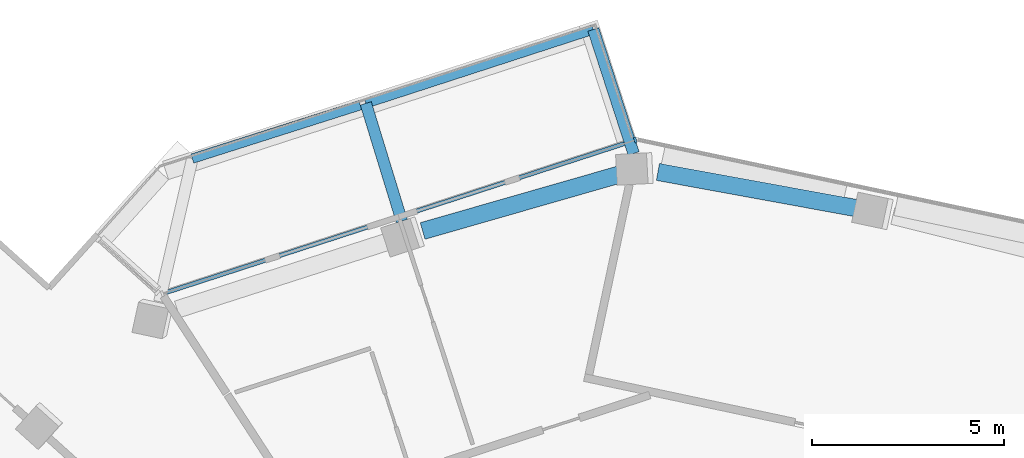
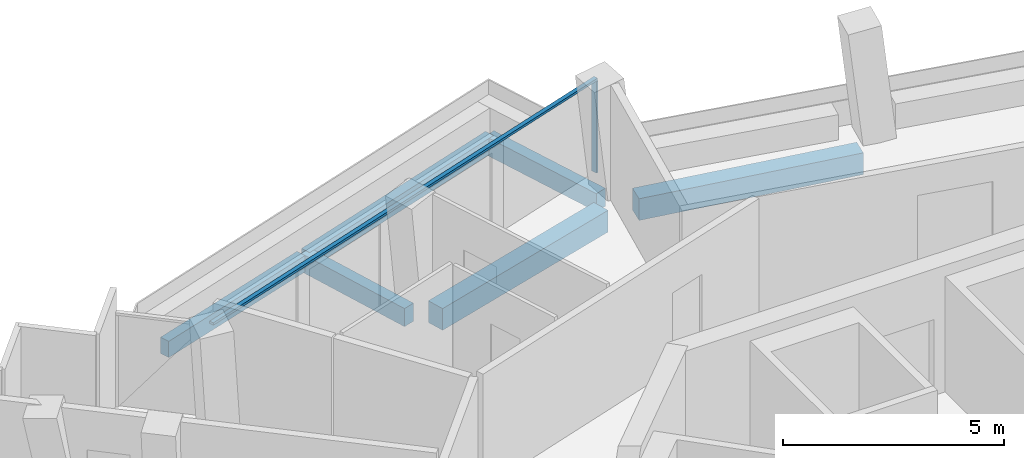
# One storey, part 7 of 22: 6 beams, 2 members, 1 element without a shape of its own.
"""IFC4 building model written with IfcOpenShell, lengths in metres."""

from ifc_helpers import new_model, si_unit, direction, frame, origin, origin_2d, place, context, subcontext, project, spatial, rectangle, extrude, material, layer, layer_set, material_profile, profile_set, type_object, element, aggregate, save


model = new_model("IFC4")

# Units and contexts
model_context = context("Model", 3, precision=1e-05, world=origin(), true_north=direction((0.0, 1.0)))
body_context = subcontext(model_context, "Body", "Model", "MODEL_VIEW")
ifc_project = project(units=[si_unit("LENGTHUNIT", "METRE"), si_unit("AREAUNIT", "SQUARE_METRE"), si_unit("VOLUMEUNIT", "CUBIC_METRE"), si_unit("PLANEANGLEUNIT", "RADIAN"), si_unit("MASSUNIT", "GRAM", prefix="KILO")], contexts=[model_context])

# Site, building, storey
site_placement = place(None, origin())
site = spatial("IfcSite", under=ifc_project, at=site_placement, CompositionType="ELEMENT")
building_placement = place(site_placement, origin())
building = spatial("IfcBuilding", under=site, at=building_placement, Name="Verdalira Terraces Hotel", CompositionType="ELEMENT")
storey_placement = place(building_placement, frame((0.0, 0.0, 230.5)))
storey = spatial("IfcBuildingStorey", under=building, at=storey_placement, Name="L56", CompositionType="ELEMENT", Elevation=230.5)

# Beams
ifc_material_1 = material(Name="Concrete C40", Category="concrete")
ifc_material_profile_1 = material_profile(ifc_material_1, rectangle(XDim=0.300049, YDim=0.5, at=origin_2d()), Name="RC 300X500")
ifc_profile_set_1 = profile_set([ifc_material_profile_1], Name="Concrete C40")
beam_type_1 = type_object("IfcBeamType", Name="Balcony cantilever beam RC 300X500 C40", PredefinedType="BEAM", material=ifc_profile_set_1)
beam_1_placement = place(storey_placement, frame((-1.363525, 24.649902, -0.560059), z_axis=(-0.309074685, 0.95103777, 0.0), x_axis=(-0.95103777, -0.309074685, 0.0)))
element("IfcBeam", 1, at=beam_1_placement, inside=storey, type_object=beam_type_1, Name="Balcony cantilever beam R41-1", PredefinedType="BEAM", context=body_context, shape_type="SweptSolid", body=[
    extrude(rectangle(XDim=0.300049, YDim=0.5, at=origin_2d()), origin(), (0.0, 0.0, 1.0), 3.393555),
])
beam_2_placement = place(storey_placement, frame((-7.394531, 22.893311, -0.560059), z_axis=(-0.293045871, 0.956098383, 0.0), x_axis=(-0.956098383, -0.293045871, 0.0)))
element("IfcBeam", 2, at=beam_2_placement, inside=storey, type_object=beam_type_1, Name="Balcony cantilever beam R41-2", PredefinedType="BEAM", context=body_context, shape_type="SweptSolid", body=[
    extrude(rectangle(XDim=0.300049, YDim=0.5, at=origin_2d()), origin(), (0.0, 0.0, 1.0), 3.200928),
])
ifc_material_2 = material(Name="Concrete C40", Category="concrete")
ifc_material_profile_2 = material_profile(ifc_material_2, rectangle(XDim=0.25, YDim=0.449951, at=origin_2d()), Name="RC 250X450")
ifc_profile_set_2 = profile_set([ifc_material_profile_2], Name="Concrete C40")
beam_type_2 = type_object("IfcBeamType", Name="Balcony edge beam RC 250X450 C40", PredefinedType="BEAM", material=ifc_profile_set_2)
beam_3_placement = place(storey_placement, frame((-2.412354, 27.877197, -0.534912), z_axis=(-0.951056259, -0.309017785, 0.0), x_axis=(0.309017785, -0.951056259, 0.0)))
element("IfcBeam", 3, at=beam_3_placement, inside=storey, type_object=beam_type_2, Name="Balcony edge beam R41-1", PredefinedType="BEAM", context=body_context, shape_type="SweptSolid", body=[
    extrude(rectangle(XDim=0.25, YDim=0.449951, at=origin_2d()), origin(), (0.0, 0.0, 1.0), 6.224854),
])
beam_4_placement = place(storey_placement, frame((-8.475586, 25.908203, -0.534912), z_axis=(-0.952892212, -0.303309137, 0.0), x_axis=(0.303309137, -0.952892212, 0.0)))
element("IfcBeam", 4, at=beam_4_placement, inside=storey, type_object=beam_type_2, Name="Balcony edge beam R41-2", PredefinedType="BEAM", context=body_context, shape_type="SweptSolid", body=[
    extrude(rectangle(XDim=0.25, YDim=0.449951, at=origin_2d()), origin(), (0.0, 0.0, 1.0), 4.585693),
])

# Curtain wall, members
ifc_material_3 = material(Name="Clear glass", Category="glass")
ifc_layer = layer(ifc_material_3, 0.14990234375)
ifc_layer_set = layer_set([ifc_layer], Name="CW1 curtain wall")
curtain_wall_type = type_object("IfcCurtainWallType", Name="CW1 curtain wall", PredefinedType="NOTDEFINED", material=ifc_layer_set)
curtain_wall_placement = place(storey_placement, origin())
curtain_wall = element("IfcCurtainWall", 5, at=curtain_wall_placement, inside=storey, type_object=curtain_wall_type, Name="CW1 curtain wall L56 edge 41", PredefinedType="NOTDEFINED")
ifc_material_4 = material(Name="Terracotta frame", Category="masonry")
ifc_material_profile_3 = material_profile(ifc_material_4, rectangle(XDim=0.060059, YDim=0.149902, at=origin_2d()), Name="MU 60x150")
ifc_profile_set_3 = profile_set([ifc_material_profile_3], Name="Terracotta frame")
member_type_1 = type_object("IfcMemberType", Name="CW1 mullion 60x150", PredefinedType="MULLION", material=ifc_profile_set_3)
member_1_placement = place(storey_placement, frame((-1.319824, 24.999023, 0.0), z_axis=(0.0, 0.0, 1.0), x_axis=(-0.951056516, -0.309016994, 0.0)))
member_1 = element("IfcMember", 6, at=member_1_placement, type_object=member_type_1, Name="CW1 mullion", PredefinedType="MULLION", context=body_context, shape_type="SweptSolid", body=[
    extrude(rectangle(XDim=0.060059, YDim=0.149902, at=origin_2d()), origin(), (0.0, 0.0, 1.0), 2.524902),
])
ifc_material_5 = material(Name="Terracotta frame", Category="masonry")
ifc_material_profile_4 = material_profile(ifc_material_5, rectangle(XDim=0.110107, YDim=0.064941, at=origin_2d()), Name="TR 65x110")
ifc_profile_set_4 = profile_set([ifc_material_profile_4], Name="Terracotta frame")
member_type_2 = type_object("IfcMemberType", Name="CW1 transom 65x110", PredefinedType="USERDEFINED", material=ifc_profile_set_4)
member_2_placement = place(storey_placement, frame((-1.29126, 25.008301, 2.557617), z_axis=(-0.951059735, -0.309007087, 0.0), x_axis=(0.309007087, -0.951059735, 0.0)))
member_2 = element("IfcMember", 7, at=member_2_placement, type_object=member_type_2, Name="CW1 transom", ObjectType="TRANSOM", PredefinedType="USERDEFINED", context=body_context, shape_type="SweptSolid", body=[
    extrude(rectangle(XDim=0.110107, YDim=0.064941, at=origin_2d()), origin(), (0.0, 0.0, 1.0), 13.0),
])
aggregate(curtain_wall, [member_1, member_2])

# Beams
ifc_material_6 = material(Name="Concrete C40", Category="concrete")
ifc_material_profile_5 = material_profile(ifc_material_6, rectangle(XDim=0.449951, YDim=0.600098, at=origin_2d()), Name="RC 450X600")
ifc_profile_set_5 = profile_set([ifc_material_profile_5], Name="Concrete C40")
beam_type_3 = type_object("IfcBeamType", Name="Spandrel beam RC 450X600 C40", PredefinedType="SPANDREL", material=ifc_profile_set_5)
beam_5_placement = place(storey_placement, frame((4.575195, 23.201416, -0.610107), z_axis=(-0.983742212, 0.179586359, 0.0), x_axis=(-0.179586359, -0.983742212, 0.0)))
element("IfcBeam", 8, at=beam_5_placement, inside=storey, type_object=beam_type_3, Name="Spandrel beam B21", PredefinedType="SPANDREL", context=body_context, shape_type="SweptSolid", body=[
    extrude(rectangle(XDim=0.449951, YDim=0.600098, at=origin_2d()), origin(), (0.0, 0.0, 1.0), 5.394287),
])
beam_6_placement = place(storey_placement, frame((-1.666016, 24.12207, -0.610107), z_axis=(-0.96121093, -0.275814337, 0.0), x_axis=(0.275814337, -0.96121093, 0.0)))
element("IfcBeam", 9, at=beam_6_placement, inside=storey, type_object=beam_type_3, Name="Spandrel beam B22", PredefinedType="SPANDREL", context=body_context, shape_type="SweptSolid", body=[
    extrude(rectangle(XDim=0.449951, YDim=0.600098, at=origin_2d()), origin(), (0.0, 0.0, 1.0), 5.396729),
])

save(model, "model.ifc")
